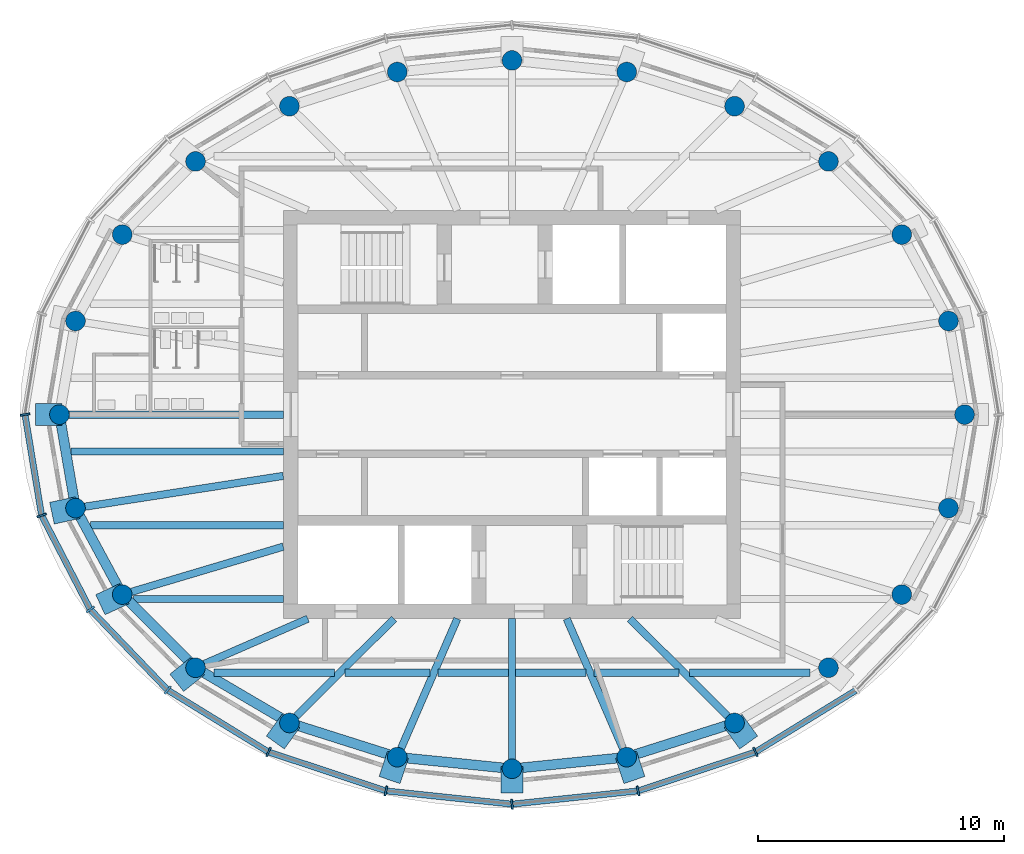
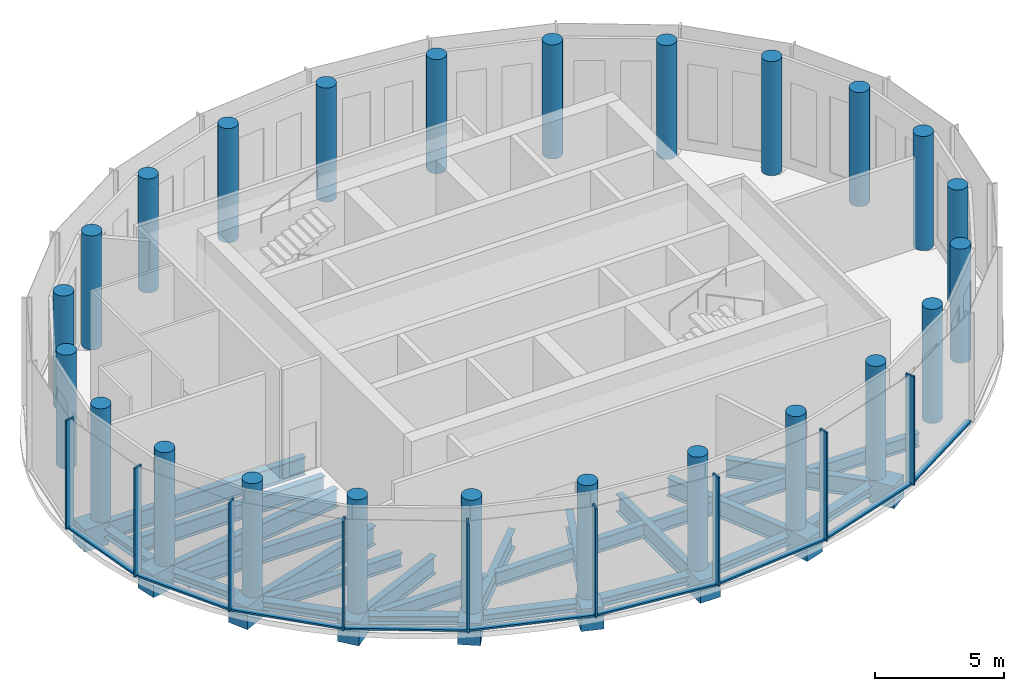
# One storey, part 1 of 11: 35 beams, 24 columns, 18 members, 2 elements without a shape of their own.
"""IFC4 building model written with IfcOpenShell, lengths in metres."""

from ifc_helpers import new_model, si_unit, direction, frame, origin, origin_2d, place, context, subcontext, project, spatial, rectangle, circle, i_section, extrude, material, material_profile, profile_set, type_object, element, aggregate, save


model = new_model("IFC4")

# Units and contexts
model_context = context("Model", 3, precision=1e-05, world=origin(), true_north=direction((0.0, 1.0)))
body_context = subcontext(model_context, "Body", "Model", "MODEL_VIEW")
ifc_project = project(units=[si_unit("LENGTHUNIT", "METRE"), si_unit("AREAUNIT", "SQUARE_METRE"), si_unit("VOLUMEUNIT", "CUBIC_METRE"), si_unit("PLANEANGLEUNIT", "RADIAN"), si_unit("MASSUNIT", "GRAM", prefix="KILO")], contexts=[model_context])

# Site, building, storey
site_placement = place(None, origin())
site = spatial("IfcSite", under=ifc_project, at=site_placement, CompositionType="ELEMENT")
building_placement = place(site_placement, origin())
building = spatial("IfcBuilding", under=site, at=building_placement, Name="Hankou Lantern Tower", CompositionType="ELEMENT")
storey_placement = place(building_placement, frame((0.0, 0.0, 237.300048828125)))
storey = spatial("IfcBuildingStorey", under=building, at=storey_placement, Name="L64", CompositionType="ELEMENT", Elevation=237.300048828125)

# Columns
ifc_material_1 = material(Name="Concrete C50", Category="concrete")
ifc_material_profile_1 = material_profile(ifc_material_1, circle(Radius=0.39990234375, at=origin_2d()), Name="RC D800")
ifc_profile_set_1 = profile_set([ifc_material_profile_1], Name="Concrete C50")
column_type = type_object("IfcColumnType", Name="TC6 PERIMETER COLUMN RC D800", PredefinedType="COLUMN", material=ifc_profile_set_1)
for number, where, z_axis, x_axis, name in (
    (1, (18.39990234375, 0.0, 0.0), (0.0, 0.0, 1.0), (1.0, 0.0, 0.0), "Column R01 L64"),
    (2, (17.746337890625, 3.80419921875, 0.0), (0.0, 0.0, 1.0), (1.0, 0.0, 0.0), "Column R02 L64"),
    (3, (15.84619140625, 7.319091796875, 0.0), (0.0, 0.0, 1.0), (1.0, 0.0, 0.0), "Column R03 L64"),
    (4, (12.866943359375, 10.293701171875, 0.0), (0.0, 0.0, 1.0), (1.0, 0.0, 0.0), "Column R04 L64"),
    (5, (9.048828125, 12.538330078125, 0.0), (0.0, 0.0, 1.0), (1.0, 0.0, 0.0), "Column R05 L64"),
    (6, (4.66552734375, 13.929443359375, 0.0), (0.0, 0.0, 1.0), (1.0, 0.0, 0.0), "Column R06 L64"),
    (7, (0.0, 14.39990234375, 0.0), (0.0, 0.0, 1.0), (1.0, 0.0, 0.0), "Column R07 L64"),
    (8, (-4.66552734375, 13.929443359375, 0.0), (0.0, 0.0, 1.0), (1.0, 0.0, 0.0), "Column R08 L64"),
    (9, (-9.048828125, 12.538330078125, 0.0), (0.0, 0.0, 1.0), (1.0, 0.0, 0.0), "Column R09 L64"),
    (10, (-12.866943359375, 10.293701171875, 0.0), (0.0, 0.0, 1.0), (1.0, 0.0, 0.0), "Column R10 L64"),
    (11, (-15.84619140625, 7.319091796875, 0.0), (0.0, 0.0, 1.0), (1.0, 0.0, 0.0), "Column R11 L64"),
    (12, (-17.746337890625, 3.80419921875, 0.0), (0.0, 0.0, 1.0), (1.0, 0.0, 0.0), "Column R12 L64"),
    (13, (-18.39990234375, 0.0, 0.0), (0.0, 0.0, 1.0), (1.0, 0.0, 0.0), "Column R13 L64"),
    (14, (-17.746337890625, -3.80419921875, 0.0), (0.0, 0.0, 1.0), (1.0, 0.0, 0.0), "Column R14 L64"),
    (15, (-15.84619140625, -7.319091796875, 0.0), (0.0, 0.0, 1.0), (1.0, 0.0, 0.0), "Column R15 L64"),
    (16, (-12.866943359375, -10.293701171875, 0.0), (0.0, 0.0, 1.0), (1.0, 0.0, 0.0), "Column R16 L64"),
    (17, (-9.048828125, -12.538330078125, 0.0), (0.0, 0.0, 1.0), (1.0, 0.0, 0.0), "Column R17 L64"),
    (18, (-4.66552734375, -13.929443359375, 0.0), (0.0, 0.0, 1.0), (1.0, 0.0, 0.0), "Column R18 L64"),
    (19, (0.0, -14.39990234375, 0.0), (0.0, 0.0, 1.0), (1.0, 0.0, 0.0), "Column R19 L64"),
    (20, (4.66552734375, -13.929443359375, 0.0), (0.0, 0.0, 1.0), (1.0, 0.0, 0.0), "Column R20 L64"),
    (21, (9.048828125, -12.538330078125, 0.0), (0.0, 0.0, 1.0), (1.0, 0.0, 0.0), "Column R21 L64"),
    (22, (12.866943359375, -10.293701171875, 0.0), (0.0, 0.0, 1.0), (1.0, 0.0, 0.0), "Column R22 L64"),
    (23, (15.84619140625, -7.319091796875, 0.0), (0.0, 0.0, 1.0), (1.0, 0.0, 0.0), "Column R23 L64"),
    (24, (17.746337890625, -3.80419921875, 0.0), (0.0, 0.0, 1.0), (1.0, 0.0, 0.0), "Column R24 L64"),
):
    element("IfcColumn", number, at=place(storey_placement, frame(where, z_axis=z_axis, x_axis=x_axis)), inside=storey, type_object=column_type, Name=name, PredefinedType="COLUMN", context=body_context, shape_type="SweptSolid", body=[
        extrude(circle(Radius=0.39990234375, at=origin_2d()), origin(), (0.0, 0.0, 1.0), 5.39990234375),
    ])

# Beams
ifc_material_2 = material(Name="Steel Q355B", Category="steel")
ifc_material_profile_2 = material_profile(ifc_material_2, i_section(OverallWidth=0.39990234375, OverallDepth=0.39990234375, WebThickness=0.012939453125, FlangeThickness=0.02099609375, FilletRadius=0.02197265625, at=origin_2d()), Name="HW400x400x13x21")
ifc_profile_set_2 = profile_set([ifc_material_profile_2], Name="Steel Q355B")
beam_type_1 = type_object("IfcBeamType", Name="EB19 RING BEAM HW400x400x13x21", PredefinedType="SPANDREL", material=ifc_profile_set_2)
beam_1_placement = place(storey_placement, frame((-18.39990234375, 0.0, -0.449951171875), z_axis=(0.169320180804, -0.98556109723, 0.0), x_axis=(0.98556109723, 0.169320180804, 0.0)))
element("IfcBeam", 25, at=beam_1_placement, inside=storey, type_object=beam_type_1, Name="Ring beam R13-R14 L64", PredefinedType="SPANDREL", context=body_context, shape_type="SweptSolid", body=[
    extrude(i_section(OverallWidth=0.39990234375, OverallDepth=0.39990234375, WebThickness=0.012939453125, FlangeThickness=0.02099609375, FilletRadius=0.02197265625, at=origin_2d()), origin(), (0.0, 0.0, 1.0), 3.85986328125),
])
beam_2_placement = place(storey_placement, frame((-17.746337890625, -3.80419921875, -0.449951171875), z_axis=(0.475556651725, -0.879685097634, 0.0), x_axis=(0.879685097634, 0.475556651725, 0.0)))
element("IfcBeam", 26, at=beam_2_placement, inside=storey, type_object=beam_type_1, Name="Ring beam R14-R15 L64", PredefinedType="SPANDREL", context=body_context, shape_type="SweptSolid", body=[
    extrude(i_section(OverallWidth=0.39990234375, OverallDepth=0.39990234375, WebThickness=0.012939453125, FlangeThickness=0.02099609375, FilletRadius=0.02197265625, at=origin_2d()), origin(), (0.0, 0.0, 1.0), 3.99560546875),
])
beam_3_placement = place(storey_placement, frame((-15.84619140625, -7.319091796875, -0.449951171875), z_axis=(0.707657475865, -0.706555657293, 0.0), x_axis=(0.706555657293, 0.707657475865, 0.0)))
element("IfcBeam", 27, at=beam_3_placement, inside=storey, type_object=beam_type_1, Name="Ring beam R15-R16 L64", PredefinedType="SPANDREL", context=body_context, shape_type="SweptSolid", body=[
    extrude(i_section(OverallWidth=0.39990234375, OverallDepth=0.39990234375, WebThickness=0.012939453125, FlangeThickness=0.02099609375, FilletRadius=0.02197265625, at=origin_2d()), origin(), (0.0, 0.0, 1.0), 4.2099609375),
])
beam_4_placement = place(storey_placement, frame((-12.866943359375, -10.293701171875, -0.449951171875), z_axis=(0.862064554074, -0.506798485207, 0.0), x_axis=(0.506798485207, 0.862064554074, 0.0)))
element("IfcBeam", 28, at=beam_4_placement, inside=storey, type_object=beam_type_1, Name="Ring beam R16-R17 L64", PredefinedType="SPANDREL", context=body_context, shape_type="SweptSolid", body=[
    extrude(i_section(OverallWidth=0.39990234375, OverallDepth=0.39990234375, WebThickness=0.012939453125, FlangeThickness=0.02099609375, FilletRadius=0.02197265625, at=origin_2d()), origin(), (0.0, 0.0, 1.0), 4.428955078125),
])
beam_5_placement = place(storey_placement, frame((-9.048828125, -12.538330078125, -0.449951171875), z_axis=(0.953150024165, -0.302497985836, 0.0), x_axis=(0.302497985836, 0.953150024165, 0.0)))
element("IfcBeam", 29, at=beam_5_placement, inside=storey, type_object=beam_type_1, Name="Ring beam R17-R18 L64", PredefinedType="SPANDREL", context=body_context, shape_type="SweptSolid", body=[
    extrude(i_section(OverallWidth=0.39990234375, OverallDepth=0.39990234375, WebThickness=0.012939453125, FlangeThickness=0.02099609375, FilletRadius=0.02197265625, at=origin_2d()), origin(), (0.0, 0.0, 1.0), 4.5986328125),
])
for number, where, z_axis, x_axis, name in (
    (30, (-4.66552734375, -13.929443359375, -0.449951171875), (0.994954369815, -0.100328470467, 0.0), (0.100328470467, 0.994954369815, 0.0), "Ring beam R18-R19 L64"),
    (31, (0.0, -14.39990234375, -0.449951171875), (0.994954369815, 0.100328470467, 0.0), (-0.100328470467, 0.994954369815, 0.0), "Ring beam R19-R20 L64"),
):
    element("IfcBeam", number, at=place(storey_placement, frame(where, z_axis=z_axis, x_axis=x_axis)), inside=storey, type_object=beam_type_1, Name=name, PredefinedType="SPANDREL", context=body_context, shape_type="SweptSolid", body=[
        extrude(i_section(OverallWidth=0.39990234375, OverallDepth=0.39990234375, WebThickness=0.012939453125, FlangeThickness=0.02099609375, FilletRadius=0.02197265625, at=origin_2d()), origin(), (0.0, 0.0, 1.0), 4.689208984375),
    ])
beam_6_placement = place(storey_placement, frame((4.66552734375, -13.929443359375, -0.449951171875), z_axis=(0.953150024165, 0.302497985836, 0.0), x_axis=(-0.302497985836, 0.953150024165, 0.0)))
element("IfcBeam", 32, at=beam_6_placement, inside=storey, type_object=beam_type_1, Name="Ring beam R20-R21 L64", PredefinedType="SPANDREL", context=body_context, shape_type="SweptSolid", body=[
    extrude(i_section(OverallWidth=0.39990234375, OverallDepth=0.39990234375, WebThickness=0.012939453125, FlangeThickness=0.02099609375, FilletRadius=0.02197265625, at=origin_2d()), origin(), (0.0, 0.0, 1.0), 4.5986328125),
])

# Curtain wall, members
ifc_material_3 = material(Name="Glass, dark grey tinted laminated", Category="glass")
curtain_wall_type = type_object("IfcCurtainWallType", Name="CWE OUTER SKIN CROWN", PredefinedType="USERDEFINED", material=ifc_material_3)
curtain_wall_1_placement = place(storey_placement, origin())
curtain_wall_1 = element("IfcCurtainWall", 33, at=curtain_wall_1_placement, inside=storey, type_object=curtain_wall_type, Name="CWE L64 OS3", ObjectType="OUTER SKIN CROWN", PredefinedType="USERDEFINED")
ifc_material_4 = material(Name="Aluminium, black anodised", Category="aluminium")
ifc_material_profile_3 = material_profile(ifc_material_4, rectangle(XDim=0.080078125, YDim=0.39990234375, at=origin_2d()), Name="MU3 80X400")
ifc_profile_set_3 = profile_set([ifc_material_profile_3], Name="Aluminium, black anodised")
member_type_1 = type_object("IfcMemberType", Name="MU3 OUTER SKIN TALL MULLION 80X400", PredefinedType="MULLION", material=ifc_profile_set_3)
member_1_placement = place(storey_placement, frame((-19.800048828125, 0.0, 0.0), z_axis=(0.0, 0.0, 1.0), x_axis=(0.162381515188, -0.986728049427, 0.0)))
member_1 = element("IfcMember", 34, at=member_1_placement, type_object=member_type_1, Name="CWE mullion 1", PredefinedType="MULLION", context=body_context, shape_type="SweptSolid", body=[
    extrude(rectangle(XDim=0.080078125, YDim=0.39990234375, at=origin_2d()), origin(), (0.0, 0.0, 1.0), 5.14990234375),
])
member_2_placement = place(storey_placement, frame((-19.125244140625, -4.099609375, 0.0), z_axis=(0.0, 0.0, 1.0), x_axis=(0.317595577365, -0.94822626479, 0.0)))
member_2 = element("IfcMember", 35, at=member_2_placement, type_object=member_type_1, Name="CWE mullion 2", PredefinedType="MULLION", context=body_context, shape_type="SweptSolid", body=[
    extrude(rectangle(XDim=0.080078125, YDim=0.39990234375, at=origin_2d()), origin(), (0.0, 0.0, 1.0), 5.14990234375),
])
member_3_placement = place(storey_placement, frame((-17.147216796875, -7.919921875, 0.0), z_axis=(0.0, 0.0, 1.0), x_axis=(0.585205735974, -0.810884854084, 0.0)))
member_3 = element("IfcMember", 36, at=member_3_placement, type_object=member_type_1, Name="CWE mullion 3", PredefinedType="MULLION", context=body_context, shape_type="SweptSolid", body=[
    extrude(rectangle(XDim=0.080078125, YDim=0.39990234375, at=origin_2d()), origin(), (0.0, 0.0, 1.0), 5.14990234375),
])
member_4_placement = place(storey_placement, frame((-14.000732421875, -11.20068359375, 0.0), z_axis=(0.0, 0.0, 1.0), x_axis=(0.780868809444, -0.624695047553, 0.0)))
member_4 = element("IfcMember", 37, at=member_4_placement, type_object=member_type_1, Name="CWE mullion 4", PredefinedType="MULLION", context=body_context, shape_type="SweptSolid", body=[
    extrude(rectangle(XDim=0.080078125, YDim=0.39990234375, at=origin_2d()), origin(), (0.0, 0.0, 1.0), 5.14990234375),
])
member_5_placement = place(storey_placement, frame((-9.89990234375, -13.7177734375, 0.0), z_axis=(0.0, 0.0, 1.0), x_axis=(0.907841299004, -0.419313934686, 0.0)))
member_5 = element("IfcMember", 38, at=member_5_placement, type_object=member_type_1, Name="CWE mullion 5", PredefinedType="MULLION", context=body_context, shape_type="SweptSolid", body=[
    extrude(rectangle(XDim=0.080078125, YDim=0.39990234375, at=origin_2d()), origin(), (0.0, 0.0, 1.0), 5.14990234375),
])
member_6_placement = place(storey_placement, frame((-5.12451171875, -15.30029296875, 0.0), z_axis=(0.0, 0.0, 1.0), x_axis=(0.977787659625, -0.209597931016, 0.0)))
member_6 = element("IfcMember", 39, at=member_6_placement, type_object=member_type_1, Name="CWE mullion 6", PredefinedType="MULLION", context=body_context, shape_type="SweptSolid", body=[
    extrude(rectangle(XDim=0.080078125, YDim=0.39990234375, at=origin_2d()), origin(), (0.0, 0.0, 1.0), 5.14990234375),
])

curtain_wall_2_placement = place(storey_placement, origin())
curtain_wall_2 = element("IfcCurtainWall", 40, at=curtain_wall_2_placement, inside=storey, type_object=curtain_wall_type, Name="CWE L64 OS4", ObjectType="OUTER SKIN CROWN", PredefinedType="USERDEFINED")
member_7_placement = place(storey_placement, frame((0.0, -15.840087890625, 0.0), z_axis=(0.0, 0.0, 1.0), x_axis=(0.994499359107, 0.104742659579, 0.0)))
member_7 = element("IfcMember", 41, at=member_7_placement, type_object=member_type_1, Name="CWE mullion 1", PredefinedType="MULLION", context=body_context, shape_type="SweptSolid", body=[
    extrude(rectangle(XDim=0.080078125, YDim=0.39990234375, at=origin_2d()), origin(), (0.0, 0.0, 1.0), 5.14990234375),
])
member_8_placement = place(storey_placement, frame((5.12451171875, -15.30029296875, 0.0), z_axis=(0.0, 0.0, 1.0), x_axis=(0.977787659625, 0.209597931016, 0.0)))
member_8 = element("IfcMember", 42, at=member_8_placement, type_object=member_type_1, Name="CWE mullion 2", PredefinedType="MULLION", context=body_context, shape_type="SweptSolid", body=[
    extrude(rectangle(XDim=0.080078125, YDim=0.39990234375, at=origin_2d()), origin(), (0.0, 0.0, 1.0), 5.14990234375),
])
member_9_placement = place(storey_placement, frame((9.89990234375, -13.7177734375, 0.0), z_axis=(0.0, 0.0, 1.0), x_axis=(0.907841299004, 0.419313934686, 0.0)))
member_9 = element("IfcMember", 43, at=member_9_placement, type_object=member_type_1, Name="CWE mullion 3", PredefinedType="MULLION", context=body_context, shape_type="SweptSolid", body=[
    extrude(rectangle(XDim=0.080078125, YDim=0.39990234375, at=origin_2d()), origin(), (0.0, 0.0, 1.0), 5.14990234375),
])

# Beams
ifc_material_5 = material(Name="Steel Q355B", Category="steel")
ifc_material_profile_4 = material_profile(ifc_material_5, i_section(OverallWidth=0.300048828125, OverallDepth=0.85009765625, WebThickness=0.01611328125, FlangeThickness=0.027099609375, FilletRadius=0.01806640625, at=origin_2d()), Name="HN850x300x16x27")
ifc_profile_set_4 = profile_set([ifc_material_profile_4], Name="Steel Q355B")
beam_type_2 = type_object("IfcBeamType", Name="RB12 RADIAL BEAM HN850x300x16x27", PredefinedType="BEAM", material=ifc_profile_set_4)
beam_7_placement = place(storey_placement, frame((-9.300048828125, 0.0, -0.675048828125), z_axis=(-1.0, 0.0, 0.0), x_axis=(0.0, -1.0, 0.0)))
element("IfcBeam", 44, at=beam_7_placement, inside=storey, type_object=beam_type_2, Name="Radial beam R13 L64", PredefinedType="BEAM", context=body_context, shape_type="SweptSolid", body=[
    extrude(i_section(OverallWidth=0.300048828125, OverallDepth=0.85009765625, WebThickness=0.01611328125, FlangeThickness=0.027099609375, FilletRadius=0.01806640625, at=origin_2d()), origin(), (0.0, 0.0, 1.0), 9.099853515625),
])
beam_8_placement = place(storey_placement, frame((-9.300048828125, -2.491943359375, -0.675048828125), z_axis=(-0.988145083079, -0.153522945472, 0.0), x_axis=(0.153522945472, -0.988145083079, 0.0)))
element("IfcBeam", 45, at=beam_8_placement, inside=storey, type_object=beam_type_2, Name="Radial beam R14 L64", PredefinedType="BEAM", context=body_context, shape_type="SweptSolid", body=[
    extrude(i_section(OverallWidth=0.300048828125, OverallDepth=0.85009765625, WebThickness=0.01611328125, FlangeThickness=0.027099609375, FilletRadius=0.01806640625, at=origin_2d()), origin(), (0.0, 0.0, 1.0), 8.547607421875),
])
beam_9_placement = place(storey_placement, frame((-8.300048828125, -8.300048828125, -0.675048828125), z_axis=(-0.91647863232, -0.400083636882, 0.0), x_axis=(0.400083636882, -0.91647863232, 0.0)))
element("IfcBeam", 46, at=beam_9_placement, inside=storey, type_object=beam_type_2, Name="Radial beam R16 L64", PredefinedType="BEAM", context=body_context, shape_type="SweptSolid", body=[
    extrude(i_section(OverallWidth=0.300048828125, OverallDepth=0.85009765625, WebThickness=0.01611328125, FlangeThickness=0.027099609375, FilletRadius=0.01806640625, at=origin_2d()), origin(), (0.0, 0.0, 1.0), 4.983154296875),
])
beam_10_placement = place(storey_placement, frame((-4.7919921875, -8.300048828125, -0.675048828125), z_axis=(-0.708649524574, -0.705560664522, 0.0), x_axis=(0.705560664522, -0.708649524574, 0.0)))
element("IfcBeam", 47, at=beam_10_placement, inside=storey, type_object=beam_type_2, Name="Radial beam R17 L64", PredefinedType="BEAM", context=body_context, shape_type="SweptSolid", body=[
    extrude(i_section(OverallWidth=0.300048828125, OverallDepth=0.85009765625, WebThickness=0.01611328125, FlangeThickness=0.027099609375, FilletRadius=0.01806640625, at=origin_2d()), origin(), (0.0, 0.0, 1.0), 6.007080078125),
])
beam_11_placement = place(storey_placement, frame((-2.223876953125, -8.300048828125, -0.675048828125), z_axis=(-0.397915592164, -0.917422030209, 0.0), x_axis=(0.917422030209, -0.397915592164, 0.0)))
element("IfcBeam", 48, at=beam_11_placement, inside=storey, type_object=beam_type_2, Name="Radial beam R18 L64", PredefinedType="BEAM", context=body_context, shape_type="SweptSolid", body=[
    extrude(i_section(OverallWidth=0.300048828125, OverallDepth=0.85009765625, WebThickness=0.01611328125, FlangeThickness=0.027099609375, FilletRadius=0.01806640625, at=origin_2d()), origin(), (0.0, 0.0, 1.0), 6.135986328125),
])
beam_12_placement = place(storey_placement, frame((0.0, -8.300048828125, -0.675048828125), z_axis=(0.0, -1.0, 0.0), x_axis=(1.0, 0.0, 0.0)))
element("IfcBeam", 49, at=beam_12_placement, inside=storey, type_object=beam_type_2, Name="Radial beam R19 L64", PredefinedType="BEAM", context=body_context, shape_type="SweptSolid", body=[
    extrude(i_section(OverallWidth=0.300048828125, OverallDepth=0.85009765625, WebThickness=0.01611328125, FlangeThickness=0.027099609375, FilletRadius=0.01806640625, at=origin_2d()), origin(), (0.0, 0.0, 1.0), 6.099853515625),
])
beam_13_placement = place(storey_placement, frame((2.223876953125, -8.300048828125, -0.675048828125), z_axis=(0.397915592164, -0.917422030209, 0.0), x_axis=(0.917422030209, 0.397915592164, 0.0)))
element("IfcBeam", 50, at=beam_13_placement, inside=storey, type_object=beam_type_2, Name="Radial beam R20 L64", PredefinedType="BEAM", context=body_context, shape_type="SweptSolid", body=[
    extrude(i_section(OverallWidth=0.300048828125, OverallDepth=0.85009765625, WebThickness=0.01611328125, FlangeThickness=0.027099609375, FilletRadius=0.01806640625, at=origin_2d()), origin(), (0.0, 0.0, 1.0), 6.135986328125),
])
beam_14_placement = place(storey_placement, frame((4.7919921875, -8.300048828125, -0.675048828125), z_axis=(0.708649524574, -0.705560664522, 0.0), x_axis=(0.705560664522, 0.708649524574, 0.0)))
element("IfcBeam", 51, at=beam_14_placement, inside=storey, type_object=beam_type_2, Name="Radial beam R21 L64", PredefinedType="BEAM", context=body_context, shape_type="SweptSolid", body=[
    extrude(i_section(OverallWidth=0.300048828125, OverallDepth=0.85009765625, WebThickness=0.01611328125, FlangeThickness=0.027099609375, FilletRadius=0.01806640625, at=origin_2d()), origin(), (0.0, 0.0, 1.0), 6.007080078125),
])
ifc_material_6 = material(Name="Steel Q355B", Category="steel")
ifc_material_profile_5 = material_profile(ifc_material_6, i_section(OverallWidth=0.300048828125, OverallDepth=0.89990234375, WebThickness=0.01611328125, FlangeThickness=0.028076171875, FilletRadius=0.01806640625, at=origin_2d()), Name="HN900x300x16x28")
ifc_profile_set_5 = profile_set([ifc_material_profile_5], Name="Steel Q355B")
beam_type_3 = type_object("IfcBeamType", Name="RB13 RADIAL BEAM HN900x300x16x28", PredefinedType="BEAM", material=ifc_profile_set_5)
beam_15_placement = place(storey_placement, frame((-9.300048828125, -5.369384765625, -0.699951171875), z_axis=(-0.958394006021, -0.285448645511, 0.0), x_axis=(0.285448645511, -0.958394006021, 0.0)))
element("IfcBeam", 52, at=beam_15_placement, inside=storey, type_object=beam_type_3, Name="Radial beam R15 L64", PredefinedType="BEAM", context=body_context, shape_type="SweptSolid", body=[
    extrude(i_section(OverallWidth=0.300048828125, OverallDepth=0.89990234375, WebThickness=0.01611328125, FlangeThickness=0.028076171875, FilletRadius=0.01806640625, at=origin_2d()), origin(), (0.0, 0.0, 1.0), 6.830322265625),
])
ifc_material_7 = material(Name="Steel Q355B", Category="steel")
ifc_material_profile_6 = material_profile(ifc_material_7, i_section(OverallWidth=0.300048828125, OverallDepth=0.75, WebThickness=0.012939453125, FlangeThickness=0.02392578125, FilletRadius=0.01806640625, at=origin_2d()), Name="HN750x300x13x24")
ifc_profile_set_6 = profile_set([ifc_material_profile_6], Name="Steel Q355B")
beam_type_4 = type_object("IfcBeamType", Name="SB10 SECONDARY BEAM HN750x300x13x24", PredefinedType="JOIST", material=ifc_profile_set_6)
beam_16_placement = place(storey_placement, frame((-17.142822265625, -4.5, -0.625), z_axis=(1.0, 0.0, 0.0), x_axis=(0.0, 1.0, 0.0)))
element("IfcBeam", 53, at=beam_16_placement, inside=storey, type_object=beam_type_4, Name="Floor joist J009 L64", PredefinedType="JOIST", context=body_context, shape_type="SweptSolid", body=[
    extrude(i_section(OverallWidth=0.300048828125, OverallDepth=0.75, WebThickness=0.012939453125, FlangeThickness=0.02392578125, FilletRadius=0.01806640625, at=origin_2d()), origin(), (0.0, 0.0, 1.0), 7.8427734375),
])
beam_17_placement = place(storey_placement, frame((-17.939453125, -1.5, -0.625), z_axis=(1.0, 0.0, 0.0), x_axis=(0.0, 1.0, 0.0)))
element("IfcBeam", 54, at=beam_17_placement, inside=storey, type_object=beam_type_4, Name="Floor joist J011 L64", PredefinedType="JOIST", context=body_context, shape_type="SweptSolid", body=[
    extrude(i_section(OverallWidth=0.300048828125, OverallDepth=0.75, WebThickness=0.012939453125, FlangeThickness=0.02392578125, FilletRadius=0.01806640625, at=origin_2d()), origin(), (0.0, 0.0, 1.0), 8.639404296875),
])
ifc_material_8 = material(Name="Steel Q355B", Category="steel")
ifc_material_profile_7 = material_profile(ifc_material_8, i_section(OverallWidth=0.300048828125, OverallDepth=0.64990234375, WebThickness=0.010986328125, FlangeThickness=0.01708984375, FilletRadius=0.01806640625, at=origin_2d()), Name="HN650x300x11x17")
ifc_profile_set_7 = profile_set([ifc_material_profile_7], Name="Steel Q355B")
beam_type_5 = type_object("IfcBeamType", Name="SB8 SECONDARY BEAM HN650x300x11x17", PredefinedType="JOIST", material=ifc_profile_set_7)
beam_18_placement = place(storey_placement, frame((-12.121337890625, -10.5, -0.574951171875), z_axis=(1.0, 0.0, 0.0), x_axis=(0.0, 1.0, 0.0)))
element("IfcBeam", 55, at=beam_18_placement, inside=storey, type_object=beam_type_5, Name="Floor joist J001 L64", PredefinedType="JOIST", context=body_context, shape_type="SweptSolid", body=[
    extrude(i_section(OverallWidth=0.300048828125, OverallDepth=0.64990234375, WebThickness=0.010986328125, FlangeThickness=0.01708984375, FilletRadius=0.01806640625, at=origin_2d()), origin(), (0.0, 0.0, 1.0), 4.9072265625),
])
beam_19_placement = place(storey_placement, frame((-6.7890625, -10.5, -0.574951171875), z_axis=(1.0, 0.0, 0.0), x_axis=(0.0, 1.0, 0.0)))
element("IfcBeam", 56, at=beam_19_placement, inside=storey, type_object=beam_type_5, Name="Floor joist J002 L64", PredefinedType="JOIST", context=body_context, shape_type="SweptSolid", body=[
    extrude(i_section(OverallWidth=0.300048828125, OverallDepth=0.64990234375, WebThickness=0.010986328125, FlangeThickness=0.01708984375, FilletRadius=0.01806640625, at=origin_2d()), origin(), (0.0, 0.0, 1.0), 3.447509765625),
])
for number, where, z_axis, x_axis, name in (
    (57, (-3.0146484375, -10.5, -0.574951171875), (1.0, 0.0, 0.0), (0.0, 1.0, 0.0), "Floor joist J003 L64"),
    (58, (0.14990234375, -10.5, -0.574951171875), (1.0, 0.0, 0.0), (0.0, 1.0, 0.0), "Floor joist J004 L64"),
):
    element("IfcBeam", number, at=place(storey_placement, frame(where, z_axis=z_axis, x_axis=x_axis)), inside=storey, type_object=beam_type_5, Name=name, PredefinedType="JOIST", context=body_context, shape_type="SweptSolid", body=[
        extrude(i_section(OverallWidth=0.300048828125, OverallDepth=0.64990234375, WebThickness=0.010986328125, FlangeThickness=0.01708984375, FilletRadius=0.01806640625, at=origin_2d()), origin(), (0.0, 0.0, 1.0), 2.86474609375),
    ])
beam_20_placement = place(storey_placement, frame((3.341552734375, -10.5, -0.574951171875), z_axis=(1.0, 0.0, 0.0), x_axis=(0.0, 1.0, 0.0)))
element("IfcBeam", 59, at=beam_20_placement, inside=storey, type_object=beam_type_5, Name="Floor joist J005 L64", PredefinedType="JOIST", context=body_context, shape_type="SweptSolid", body=[
    extrude(i_section(OverallWidth=0.300048828125, OverallDepth=0.64990234375, WebThickness=0.010986328125, FlangeThickness=0.01708984375, FilletRadius=0.01806640625, at=origin_2d()), origin(), (0.0, 0.0, 1.0), 3.447509765625),
])
beam_21_placement = place(storey_placement, frame((7.214111328125, -10.5, -0.574951171875), z_axis=(1.0, 0.0, 0.0), x_axis=(0.0, 1.0, 0.0)))
element("IfcBeam", 60, at=beam_21_placement, inside=storey, type_object=beam_type_5, Name="Floor joist J006 L64", PredefinedType="JOIST", context=body_context, shape_type="SweptSolid", body=[
    extrude(i_section(OverallWidth=0.300048828125, OverallDepth=0.64990234375, WebThickness=0.010986328125, FlangeThickness=0.01708984375, FilletRadius=0.01806640625, at=origin_2d()), origin(), (0.0, 0.0, 1.0), 4.9072265625),
])
beam_22_placement = place(storey_placement, frame((-15.3818359375, -7.5, -0.574951171875), z_axis=(1.0, 0.0, 0.0), x_axis=(0.0, 1.0, 0.0)))
element("IfcBeam", 61, at=beam_22_placement, inside=storey, type_object=beam_type_5, Name="Floor joist J007 L64", PredefinedType="JOIST", context=body_context, shape_type="SweptSolid", body=[
    extrude(i_section(OverallWidth=0.300048828125, OverallDepth=0.64990234375, WebThickness=0.010986328125, FlangeThickness=0.01708984375, FilletRadius=0.01806640625, at=origin_2d()), origin(), (0.0, 0.0, 1.0), 6.081787109375),
])
ifc_material_9 = material(Name="Concrete C50", Category="concrete")
ifc_material_profile_8 = material_profile(ifc_material_9, rectangle(XDim=0.89990234375, YDim=1.050048828125, at=origin_2d()), Name="RC 900x1050")
ifc_profile_set_8 = profile_set([ifc_material_profile_8], Name="Concrete C50")
beam_type_6 = type_object("IfcBeamType", Name="TN4 TRANSFER NODE RC 900x1050", PredefinedType="BEAM", material=ifc_profile_set_8)
for number, where, z_axis, x_axis, name in (
    (62, (-19.3798828125, 0.0, -0.525146484375), (1.0, 0.0, 0.0), (0.0, 1.0, 0.0), "Transfer node R13 L64"),
    (63, (-18.70458984375, -4.009521484375, -0.525146484375), (0.977792487553, 0.209575407159, 0.0), (-0.209575407159, 0.977792487553, 0.0), "Transfer node R14 L64"),
):
    element("IfcBeam", number, at=place(storey_placement, frame(where, z_axis=z_axis, x_axis=x_axis)), inside=storey, type_object=beam_type_6, Name=name, PredefinedType="BEAM", context=body_context, shape_type="SweptSolid", body=[
        extrude(rectangle(XDim=0.89990234375, YDim=1.050048828125, at=origin_2d()), origin(), (0.0, 0.0, 1.0), 1.079833984375),
    ])
for number, where, z_axis, x_axis, name in (
    (64, (-16.73583984375, -7.72998046875, -0.525146484375), (0.907833635463, 0.419330526341, 0.0), (-0.419330526341, 0.907833635463, 0.0), "Transfer node R15 L64"),
    (65, (-13.63232421875, -10.90576171875, -0.525146484375), (0.780979062227, 0.624557206638, 0.0), (-0.624557206638, 0.780979062227, 0.0), "Transfer node R16 L64"),
    (66, (-9.622314453125, -13.3330078125, -0.525146484375), (0.585251178106, 0.810852057114, 0.0), (-0.810852057114, 0.585251178106, 0.0), "Transfer node R17 L64"),
    (67, (-4.976806640625, -14.858642578125, -0.525146484375), (0.317583672079, 0.948230252222, 0.0), (-0.948230252222, 0.317583672079, 0.0), "Transfer node R18 L64"),
):
    element("IfcBeam", number, at=place(storey_placement, frame(where, z_axis=z_axis, x_axis=x_axis)), inside=storey, type_object=beam_type_6, Name=name, PredefinedType="BEAM", context=body_context, shape_type="SweptSolid", body=[
        extrude(rectangle(XDim=0.89990234375, YDim=1.050048828125, at=origin_2d()), origin(), (0.0, 0.0, 1.0), 1.080078125),
    ])
beam_23_placement = place(storey_placement, frame((0.0, -15.3798828125, -0.525146484375), z_axis=(0.0, 1.0, 0.0), x_axis=(-1.0, 0.0, 0.0)))
element("IfcBeam", 68, at=beam_23_placement, inside=storey, type_object=beam_type_6, Name="Transfer node R19 L64", PredefinedType="BEAM", context=body_context, shape_type="SweptSolid", body=[
    extrude(rectangle(XDim=0.89990234375, YDim=1.050048828125, at=origin_2d()), origin(), (0.0, 0.0, 1.0), 1.079833984375),
])
for number, where, z_axis, x_axis, name in (
    (69, (4.976806640625, -14.858642578125, -0.525146484375), (-0.317583672079, 0.948230252222, 0.0), (-0.948230252222, -0.317583672079, 0.0), "Transfer node R20 L64"),
    (70, (9.622314453125, -13.3330078125, -0.525146484375), (-0.585251178106, 0.810852057114, 0.0), (-0.810852057114, -0.585251178106, 0.0), "Transfer node R21 L64"),
):
    element("IfcBeam", number, at=place(storey_placement, frame(where, z_axis=z_axis, x_axis=x_axis)), inside=storey, type_object=beam_type_6, Name=name, PredefinedType="BEAM", context=body_context, shape_type="SweptSolid", body=[
        extrude(rectangle(XDim=0.89990234375, YDim=1.050048828125, at=origin_2d()), origin(), (0.0, 0.0, 1.0), 1.080078125),
    ])

# Member
ifc_material_10 = material(Name="Aluminium, black anodised", Category="aluminium")
ifc_material_profile_9 = material_profile(ifc_material_10, rectangle(XDim=0.25, YDim=0.080078125, at=origin_2d()), Name="TR3 250X80")
ifc_profile_set_9 = profile_set([ifc_material_profile_9], Name="Aluminium, black anodised")
member_type_2 = type_object("IfcMemberType", Name="TR3 OUTER SKIN TALL TRANSOM 250X80", PredefinedType="USERDEFINED", material=ifc_profile_set_9)
member_10_placement = place(storey_placement, frame((-19.79345703125, -0.03955078125, 0.0400390625), z_axis=(0.16236802655, -0.986730269098, 0.0), x_axis=(0.986730269098, 0.16236802655, 0.0)))
member_10 = element("IfcMember", 71, at=member_10_placement, type_object=member_type_2, Name="CWE transom 1", ObjectType="TRANSOM", PredefinedType="USERDEFINED", context=body_context, shape_type="SweptSolid", body=[
    extrude(rectangle(XDim=0.25, YDim=0.080078125, at=origin_2d()), origin(), (0.0, 0.0, 1.0), 4.07470703125),
])

member_11_placement = place(storey_placement, frame((-19.10693359375, -4.13525390625, 0.0400390625), z_axis=(0.459775263862, -0.888035307148, 0.0), x_axis=(0.888035307148, 0.459775263862, 0.0)))
member_11 = element("IfcMember", 72, at=member_11_placement, type_object=member_type_2, Name="CWE transom 2", ObjectType="TRANSOM", PredefinedType="USERDEFINED", context=body_context, shape_type="SweptSolid", body=[
    extrude(rectangle(XDim=0.25, YDim=0.080078125, at=origin_2d()), origin(), (0.0, 0.0, 1.0), 4.221923828125),
])

member_12_placement = place(storey_placement, frame((-17.11962890625, -7.948974609375, 0.0400390625), z_axis=(0.692247265369, -0.72166039353, 0.0), x_axis=(0.72166039353, 0.692247265369, 0.0)))
member_12 = element("IfcMember", 73, at=member_12_placement, type_object=member_type_2, Name="CWE transom 3", ObjectType="TRANSOM", PredefinedType="USERDEFINED", context=body_context, shape_type="SweptSolid", body=[
    extrude(rectangle(XDim=0.25, YDim=0.080078125, at=origin_2d()), origin(), (0.0, 0.0, 1.0), 4.465576171875),
])

member_13_placement = place(storey_placement, frame((-13.966552734375, -11.221435546875, 0.0400390625), z_axis=(0.852217640669, -0.523187435756, 0.0), x_axis=(0.523187435756, 0.852217640669, 0.0)))
member_13 = element("IfcMember", 74, at=member_13_placement, type_object=member_type_2, Name="CWE transom 4", ObjectType="TRANSOM", PredefinedType="USERDEFINED", context=body_context, shape_type="SweptSolid", body=[
    extrude(rectangle(XDim=0.25, YDim=0.080078125, at=origin_2d()), origin(), (0.0, 0.0, 1.0), 4.731689453125),
])

member_14_placement = place(storey_placement, frame((-9.862060546875, -13.73046875, 0.0400390625), z_axis=(0.949248885694, -0.314525917864, 0.0), x_axis=(0.314525917864, 0.949248885694, 0.0)))
member_14 = element("IfcMember", 75, at=member_14_placement, type_object=member_type_2, Name="CWE transom 5", ObjectType="TRANSOM", PredefinedType="USERDEFINED", context=body_context, shape_type="SweptSolid", body=[
    extrude(rectangle(XDim=0.25, YDim=0.080078125, at=origin_2d()), origin(), (0.0, 0.0, 1.0), 4.95068359375),
])

member_15_placement = place(storey_placement, frame((-5.084716796875, -15.304443359375, 0.0400390625), z_axis=(0.994501232739, -0.104724868488, 0.0), x_axis=(0.104724868488, 0.994501232739, 0.0)))
member_15 = element("IfcMember", 76, at=member_15_placement, type_object=member_type_2, Name="CWE transom 6", ObjectType="TRANSOM", PredefinedType="USERDEFINED", context=body_context, shape_type="SweptSolid", body=[
    extrude(rectangle(XDim=0.25, YDim=0.080078125, at=origin_2d()), origin(), (0.0, 0.0, 1.0), 5.07275390625),
])

aggregate(curtain_wall_1, [member_1, member_2, member_3, member_4, member_5, member_6, member_10, member_11, member_12, member_13, member_14, member_15])

member_16_placement = place(storey_placement, frame((0.039794921875, -15.835693359375, 0.0400390625), z_axis=(0.994501232739, 0.104724868488, 0.0), x_axis=(-0.104724868488, 0.994501232739, 0.0)))
member_16 = element("IfcMember", 77, at=member_16_placement, type_object=member_type_2, Name="CWE transom 1", ObjectType="TRANSOM", PredefinedType="USERDEFINED", context=body_context, shape_type="SweptSolid", body=[
    extrude(rectangle(XDim=0.25, YDim=0.080078125, at=origin_2d()), origin(), (0.0, 0.0, 1.0), 5.07275390625),
])

member_17_placement = place(storey_placement, frame((5.16259765625, -15.28759765625, 0.0400390625), z_axis=(0.949248885694, 0.314525917864, 0.0), x_axis=(-0.314525917864, 0.949248885694, 0.0)))
member_17 = element("IfcMember", 78, at=member_17_placement, type_object=member_type_2, Name="CWE transom 2", ObjectType="TRANSOM", PredefinedType="USERDEFINED", context=body_context, shape_type="SweptSolid", body=[
    extrude(rectangle(XDim=0.25, YDim=0.080078125, at=origin_2d()), origin(), (0.0, 0.0, 1.0), 4.95068359375),
])

member_18_placement = place(storey_placement, frame((9.93408203125, -13.697021484375, 0.0400390625), z_axis=(0.852217640669, 0.523187435756, 0.0), x_axis=(-0.523187435756, 0.852217640669, 0.0)))
member_18 = element("IfcMember", 79, at=member_18_placement, type_object=member_type_2, Name="CWE transom 3", ObjectType="TRANSOM", PredefinedType="USERDEFINED", context=body_context, shape_type="SweptSolid", body=[
    extrude(rectangle(XDim=0.25, YDim=0.080078125, at=origin_2d()), origin(), (0.0, 0.0, 1.0), 4.731689453125),
])

aggregate(curtain_wall_2, [member_7, member_8, member_9, member_16, member_17, member_18])

save(model, "model.ifc")
